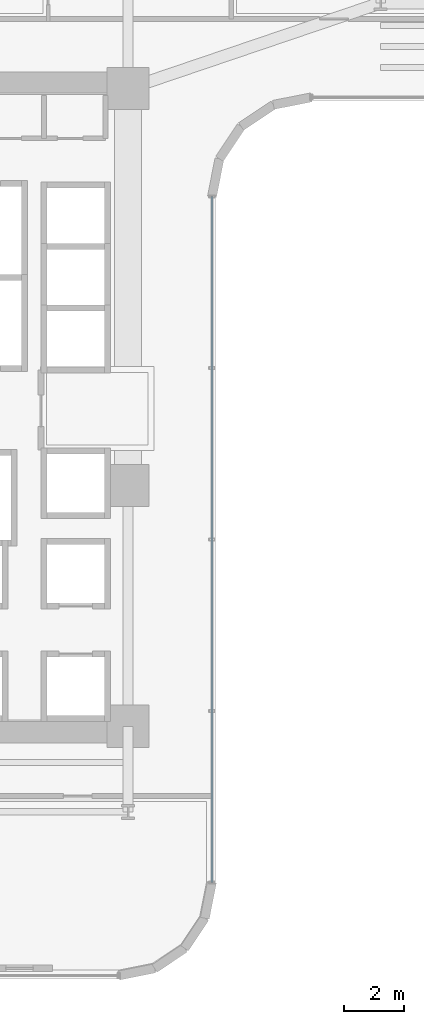
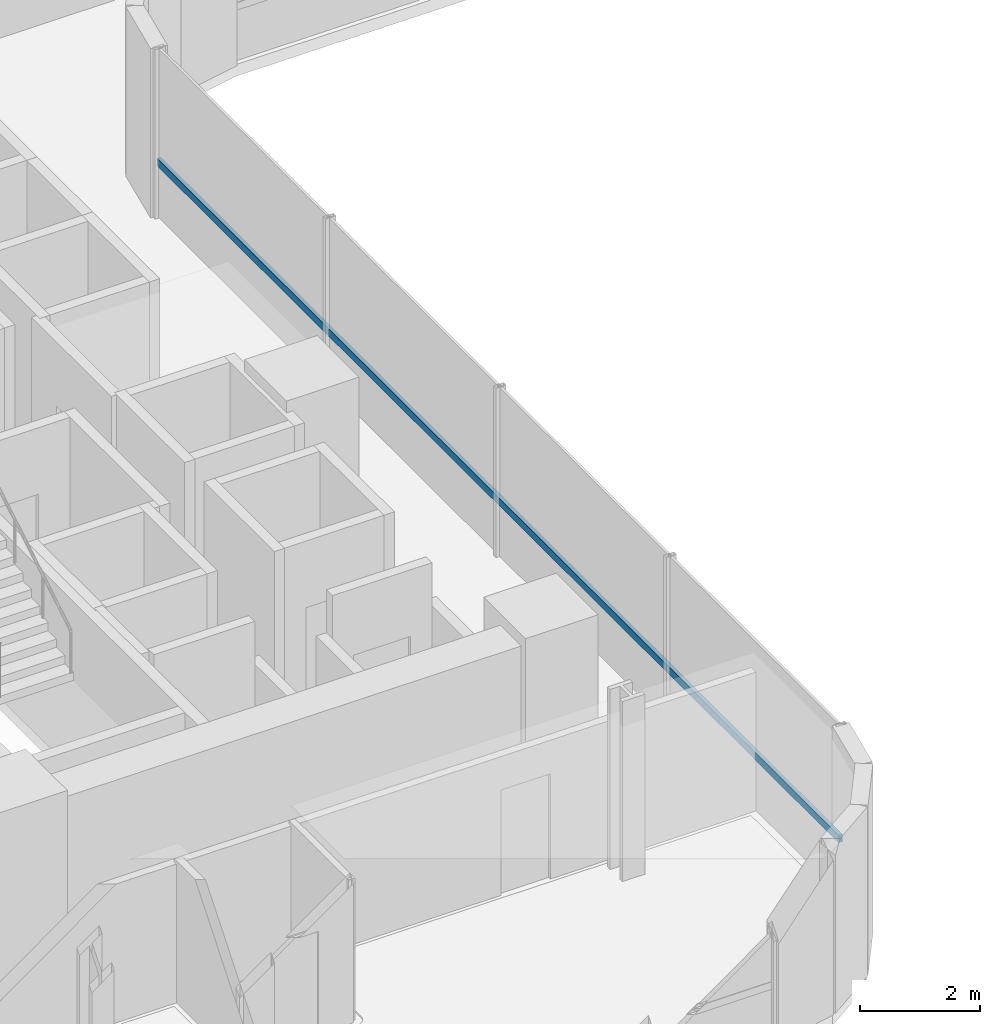
# One storey, part 7 of 42: 1 member, 1 element without a shape of its own.
"""IFC4 building model written with IfcOpenShell, lengths in metres."""

from ifc_helpers import new_model, si_unit, direction, frame, origin, origin_2d, place, context, subcontext, project, spatial, hollow_rectangle, extrude, source, transform, mapped, material, material_profile, profile_set, type_object, element, aggregate, save


model = new_model("IFC4")

# Units and contexts
model_context = context("Model", 3, precision=1e-05, world=origin(), true_north=direction((0.0, 1.0)))
body_context = subcontext(model_context, "Body", "Model", "MODEL_VIEW")
ifc_project = project(units=[si_unit("LENGTHUNIT", "METRE"), si_unit("AREAUNIT", "SQUARE_METRE"), si_unit("VOLUMEUNIT", "CUBIC_METRE"), si_unit("PLANEANGLEUNIT", "RADIAN"), si_unit("MASSUNIT", "GRAM", prefix="KILO")], contexts=[model_context])

# Site, building, storey
site_placement = place(None, origin())
site = spatial("IfcSite", under=ifc_project, at=site_placement, CompositionType="ELEMENT")
building_placement = place(site_placement, origin())
building = spatial("IfcBuilding", under=site, at=building_placement, Name="Valdorenza Pilgrim Sanctuary Tower", CompositionType="ELEMENT")
storey_placement = place(building_placement, frame((0.0, 0.0, 55.60009765625)))
storey = spatial("IfcBuildingStorey", under=building, at=storey_placement, Name="L13", CompositionType="ELEMENT", Elevation=55.60009765625)

# Curtain wall, member
ifc_material_1 = material(Name="Curtain-wall IGU glazing", Category="glass")
curtain_wall_type = type_object("IfcCurtainWallType", Name="CW-SYS-02", PredefinedType="NOTDEFINED", material=ifc_material_1)
curtain_wall_placement = place(storey_placement, origin())
curtain_wall = element("IfcCurtainWall", 1, at=curtain_wall_placement, inside=storey, type_object=curtain_wall_type, Name="L13 Curtain Wall CW-L13-1-41", PredefinedType="NOTDEFINED")
ifc_material_2 = material(Name="Anodised aluminium AW-6060", Category="aluminium")
ifc_material_profile = material_profile(ifc_material_2, hollow_rectangle(XDim=0.074951171875, YDim=0.14990234375, WallThickness=0.00390625, at=origin_2d()), Name="ALU-T 150x75x4")
ifc_profile_set = profile_set([ifc_material_profile], Name="Anodised aluminium AW-6060")
member_type = type_object("IfcMemberType", Name="CW-TRN-02", PredefinedType="USERDEFINED", material=ifc_profile_set)
shared_shape = source(origin(), body_context, "Body", "SweptSolid", [
    extrude(hollow_rectangle(XDim=0.074951171875, YDim=0.14990234375, WallThickness=0.00390625, at=origin_2d()), origin(), (0.0, 0.0, 1.0), 22.800048828125),
])
member_placement = place(storey_placement, frame((-9.610107421875, 7.0107421875, 1.119873046875), z_axis=(0.0, -1.0, 0.0), x_axis=(1.0, 0.0, 0.0)))
member = element("IfcMember", 2, at=member_placement, type_object=member_type, Name="CW-L13-1-41 Transom 1", ObjectType="TRANSOM", PredefinedType="USERDEFINED", context=body_context, shape_type="MappedRepresentation", body=[
    mapped(shared_shape, transform((0.0, 0.0, 0.0), x_axis=(1.0, 0.0, 0.0), y_axis=(0.0, 1.0, 0.0), z_axis=(0.0, 0.0, 1.0), scale=1.0)),
])
aggregate(curtain_wall, [member])

save(model, "model.ifc")
